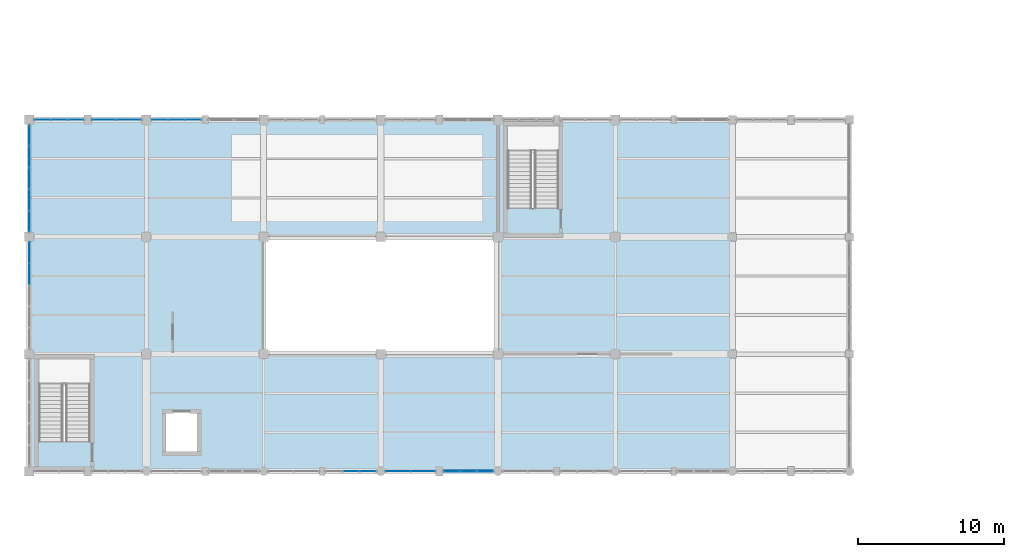
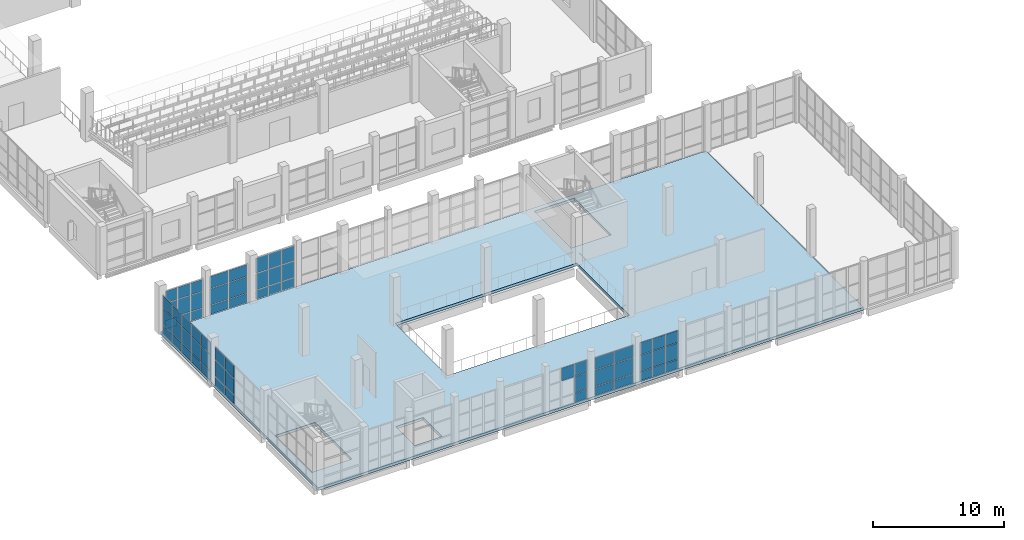
# One storey, part 116 of 183: 64 plates, 1 slab, 8 elements without a shape of their own.
"""IFC4 building model written with IfcOpenShell, lengths in metres."""

from ifc_helpers import new_model, si_unit, direction, frame, origin, origin_2d, place, context, subcontext, project, spatial, polyline, rectangle, outline, extrude, material, layer, layer_set, type_object, element, aggregate, save


model = new_model("IFC4")

# Units and contexts
model_context = context("Model", 3, precision=1e-05, world=origin(), true_north=direction((0.0, 1.0)))
body_context = subcontext(model_context, "Body", "Model", "MODEL_VIEW")
ifc_project = project(units=[si_unit("LENGTHUNIT", "METRE"), si_unit("AREAUNIT", "SQUARE_METRE"), si_unit("VOLUMEUNIT", "CUBIC_METRE"), si_unit("PLANEANGLEUNIT", "RADIAN"), si_unit("MASSUNIT", "GRAM", prefix="KILO")], contexts=[model_context])

# Site, building, storey
site_placement = place(None, origin())
site = spatial("IfcSite", under=ifc_project, at=site_placement, CompositionType="ELEMENT")
building_placement = place(site_placement, origin())
building = spatial("IfcBuilding", under=site, at=building_placement, Name="Luwemba Playhouse", CompositionType="ELEMENT")
storey_placement = place(building_placement, frame((0.0, 0.0, 4.800048828125)))
storey = spatial("IfcBuildingStorey", under=building, at=storey_placement, Name="L01", CompositionType="ELEMENT", Elevation=4.800048828125)

# Curtain wall, plates
ifc_material_1 = material(Name="Solar-control double glazing", Category="glass")
curtain_wall_type_1 = type_object("IfcCurtainWallType", Name="CW-CW92", PredefinedType="USERDEFINED", material=ifc_material_1)
curtain_wall_1_placement = place(storey_placement, origin())
curtain_wall_1 = element("IfcCurtainWall", 1, at=curtain_wall_1_placement, inside=storey, type_object=curtain_wall_type_1, Name="L01 V5W unitised curtain wall 122", ObjectType="UNITISED GLAZING", PredefinedType="USERDEFINED")
ifc_layer_1 = layer(ifc_material_1, 0.02392578125)
ifc_layer_set_1 = layer_set([ifc_layer_1], Name="Solar-control double glazing")
plate_type_1 = type_object("IfcPlateType", Name="CWP-P1", PredefinedType="CURTAIN_PANEL", material=ifc_layer_set_1)
plate_1_placement = place(storey_placement, frame((4.910888671875, 27.0, 0.059814453125), z_axis=(0.0, 0.0, 1.0), x_axis=(1.0, 0.0, 0.0)))
plate_1 = element("IfcPlate", 2, at=plate_1_placement, type_object=plate_type_1, Name="CW92 panel 1.1", PredefinedType="CURTAIN_PANEL", context=body_context, shape_type="SweptSolid", body=[
    extrude(rectangle(XDim=1.0517578125, YDim=0.02392578125, at=origin_2d()), origin(), (0.0, 0.0, 1.0), 0.81005859375),
])
plate_2_placement = place(storey_placement, frame((4.910888671875, 27.0, 0.93017578125), z_axis=(0.0, 0.0, 1.0), x_axis=(1.0, 0.0, 0.0)))
plate_2 = element("IfcPlate", 3, at=plate_2_placement, type_object=plate_type_1, Name="CW92 panel 1.2", PredefinedType="CURTAIN_PANEL", context=body_context, shape_type="SweptSolid", body=[
    extrude(rectangle(XDim=1.0517578125, YDim=0.02392578125, at=origin_2d()), origin(), (0.0, 0.0, 1.0), 1.489990234375),
])
plate_3_placement = place(storey_placement, frame((4.910888671875, 27.0, 2.47998046875), z_axis=(0.0, 0.0, 1.0), x_axis=(1.0, 0.0, 0.0)))
plate_3 = element("IfcPlate", 4, at=plate_3_placement, type_object=plate_type_1, Name="CW92 panel 1.3", PredefinedType="CURTAIN_PANEL", context=body_context, shape_type="SweptSolid", body=[
    extrude(rectangle(XDim=1.0517578125, YDim=0.02392578125, at=origin_2d()), origin(), (0.0, 0.0, 1.0), 1.094970703125),
])
plate_4_placement = place(storey_placement, frame((6.03759765625, 27.0, 0.059814453125), z_axis=(0.0, 0.0, 1.0), x_axis=(1.0, 0.0, 0.0)))
plate_4 = element("IfcPlate", 5, at=plate_4_placement, type_object=plate_type_1, Name="CW92 panel 2.1", PredefinedType="CURTAIN_PANEL", context=body_context, shape_type="SweptSolid", body=[
    extrude(rectangle(XDim=1.081787109375, YDim=0.02392578125, at=origin_2d()), origin(), (0.0, 0.0, 1.0), 0.81005859375),
])
plate_5_placement = place(storey_placement, frame((6.03759765625, 27.0, 0.93017578125), z_axis=(0.0, 0.0, 1.0), x_axis=(1.0, 0.0, 0.0)))
plate_5 = element("IfcPlate", 6, at=plate_5_placement, type_object=plate_type_1, Name="CW92 panel 2.2", PredefinedType="CURTAIN_PANEL", context=body_context, shape_type="SweptSolid", body=[
    extrude(rectangle(XDim=1.081787109375, YDim=0.02392578125, at=origin_2d()), origin(), (0.0, 0.0, 1.0), 1.489990234375),
])
plate_6_placement = place(storey_placement, frame((6.03759765625, 27.0, 2.47998046875), z_axis=(0.0, 0.0, 1.0), x_axis=(1.0, 0.0, 0.0)))
plate_6 = element("IfcPlate", 7, at=plate_6_placement, type_object=plate_type_1, Name="CW92 panel 2.3", PredefinedType="CURTAIN_PANEL", context=body_context, shape_type="SweptSolid", body=[
    extrude(rectangle(XDim=1.081787109375, YDim=0.02392578125, at=origin_2d()), origin(), (0.0, 0.0, 1.0), 1.094970703125),
])
plate_7_placement = place(storey_placement, frame((7.1640625, 27.0, 0.059814453125), z_axis=(0.0, 0.0, 1.0), x_axis=(1.0, 0.0, 0.0)))
plate_7 = element("IfcPlate", 8, at=plate_7_placement, type_object=plate_type_1, Name="CW92 panel 3.1", PredefinedType="CURTAIN_PANEL", context=body_context, shape_type="SweptSolid", body=[
    extrude(rectangle(XDim=1.0517578125, YDim=0.02392578125, at=origin_2d()), origin(), (0.0, 0.0, 1.0), 0.81005859375),
])
plate_8_placement = place(storey_placement, frame((7.1640625, 27.0, 0.93017578125), z_axis=(0.0, 0.0, 1.0), x_axis=(1.0, 0.0, 0.0)))
plate_8 = element("IfcPlate", 9, at=plate_8_placement, type_object=plate_type_1, Name="CW92 panel 3.2", PredefinedType="CURTAIN_PANEL", context=body_context, shape_type="SweptSolid", body=[
    extrude(rectangle(XDim=1.0517578125, YDim=0.02392578125, at=origin_2d()), origin(), (0.0, 0.0, 1.0), 1.489990234375),
])
plate_9_placement = place(storey_placement, frame((7.1640625, 27.0, 2.47998046875), z_axis=(0.0, 0.0, 1.0), x_axis=(1.0, 0.0, 0.0)))
plate_9 = element("IfcPlate", 10, at=plate_9_placement, type_object=plate_type_1, Name="CW92 panel 3.3", PredefinedType="CURTAIN_PANEL", context=body_context, shape_type="SweptSolid", body=[
    extrude(rectangle(XDim=1.0517578125, YDim=0.02392578125, at=origin_2d()), origin(), (0.0, 0.0, 1.0), 1.094970703125),
])
aggregate(curtain_wall_1, [plate_1, plate_2, plate_3, plate_4, plate_5, plate_6, plate_7, plate_8, plate_9])

curtain_wall_type_2 = type_object("IfcCurtainWallType", Name="CW-CW99", PredefinedType="USERDEFINED", material=ifc_material_1)
curtain_wall_2_placement = place(storey_placement, origin())
curtain_wall_2 = element("IfcCurtainWall", 11, at=curtain_wall_2_placement, inside=storey, type_object=curtain_wall_type_2, Name="L01 V5W unitised curtain wall 146", ObjectType="UNITISED GLAZING", PredefinedType="USERDEFINED")
plate_10_placement = place(storey_placement, frame((30.87255859375, 3.0, 0.059814453125), z_axis=(0.0, 0.0, 1.0), x_axis=(-1.0, 0.0, 0.0)))
plate_10 = element("IfcPlate", 12, at=plate_10_placement, type_object=plate_type_1, Name="CW99 panel 1.1", PredefinedType="CURTAIN_PANEL", context=body_context, shape_type="SweptSolid", body=[
    extrude(rectangle(XDim=1.635009765625, YDim=0.02392578125, at=origin_2d()), origin(), (0.0, 0.0, 1.0), 0.81005859375),
])
plate_11_placement = place(storey_placement, frame((30.87255859375, 3.0, 0.93017578125), z_axis=(0.0, 0.0, 1.0), x_axis=(-1.0, 0.0, 0.0)))
plate_11 = element("IfcPlate", 13, at=plate_11_placement, type_object=plate_type_1, Name="CW99 panel 1.2", PredefinedType="CURTAIN_PANEL", context=body_context, shape_type="SweptSolid", body=[
    extrude(rectangle(XDim=1.635009765625, YDim=0.02392578125, at=origin_2d()), origin(), (0.0, 0.0, 1.0), 1.489990234375),
])
plate_12_placement = place(storey_placement, frame((30.87255859375, 3.0, 2.47998046875), z_axis=(0.0, 0.0, 1.0), x_axis=(-1.0, 0.0, 0.0)))
plate_12 = element("IfcPlate", 14, at=plate_12_placement, type_object=plate_type_1, Name="CW99 panel 1.3", PredefinedType="CURTAIN_PANEL", context=body_context, shape_type="SweptSolid", body=[
    extrude(rectangle(XDim=1.635009765625, YDim=0.02392578125, at=origin_2d()), origin(), (0.0, 0.0, 1.0), 1.094970703125),
])
plate_13_placement = place(storey_placement, frame((29.177490234375, 3.0, 0.059814453125), z_axis=(0.0, 0.0, 1.0), x_axis=(-1.0, 0.0, 0.0)))
plate_13 = element("IfcPlate", 15, at=plate_13_placement, type_object=plate_type_1, Name="CW99 panel 2.1", PredefinedType="CURTAIN_PANEL", context=body_context, shape_type="SweptSolid", body=[
    extrude(rectangle(XDim=1.635009765625, YDim=0.02392578125, at=origin_2d()), origin(), (0.0, 0.0, 1.0), 0.81005859375),
])
plate_14_placement = place(storey_placement, frame((29.177490234375, 3.0, 0.93017578125), z_axis=(0.0, 0.0, 1.0), x_axis=(-1.0, 0.0, 0.0)))
plate_14 = element("IfcPlate", 16, at=plate_14_placement, type_object=plate_type_1, Name="CW99 panel 2.2", PredefinedType="CURTAIN_PANEL", context=body_context, shape_type="SweptSolid", body=[
    extrude(rectangle(XDim=1.635009765625, YDim=0.02392578125, at=origin_2d()), origin(), (0.0, 0.0, 1.0), 1.489990234375),
])
plate_15_placement = place(storey_placement, frame((29.177490234375, 3.0, 2.47998046875), z_axis=(0.0, 0.0, 1.0), x_axis=(-1.0, 0.0, 0.0)))
plate_15 = element("IfcPlate", 17, at=plate_15_placement, type_object=plate_type_1, Name="CW99 panel 2.3", PredefinedType="CURTAIN_PANEL", context=body_context, shape_type="SweptSolid", body=[
    extrude(rectangle(XDim=1.635009765625, YDim=0.02392578125, at=origin_2d()), origin(), (0.0, 0.0, 1.0), 1.094970703125),
])
aggregate(curtain_wall_2, [plate_10, plate_11, plate_12, plate_13, plate_14, plate_15])

curtain_wall_type_3 = type_object("IfcCurtainWallType", Name="CW-CW93", PredefinedType="USERDEFINED", material=ifc_material_1)
curtain_wall_3_placement = place(storey_placement, origin())
curtain_wall_3 = element("IfcCurtainWall", 18, at=curtain_wall_3_placement, inside=storey, type_object=curtain_wall_type_3, Name="L01 V5W unitised curtain wall 123", ObjectType="UNITISED GLAZING", PredefinedType="USERDEFINED")
ifc_layer_2 = layer(ifc_material_1, 0.028076171875)
ifc_layer_set_2 = layer_set([ifc_layer_2], Name="Solar-control double glazing")
plate_type_2 = type_object("IfcPlateType", Name="CWP-P2", PredefinedType="CURTAIN_PANEL", material=ifc_layer_set_2)
plate_16_placement = place(storey_placement, frame((9.12255859375, 27.0, 0.054931640625), z_axis=(0.0, 0.0, 1.0), x_axis=(1.0, 0.0, 0.0)))
plate_16 = element("IfcPlate", 19, at=plate_16_placement, type_object=plate_type_2, Name="CW93 panel 1.1", PredefinedType="CURTAIN_PANEL", context=body_context, shape_type="SweptSolid", body=[
    extrude(rectangle(XDim=1.614990234375, YDim=0.028076171875, at=origin_2d()), origin(), (0.0, 0.0, 1.0), 0.8173828125),
])
plate_17_placement = place(storey_placement, frame((9.12255859375, 27.0, 0.927490234375), z_axis=(0.0, 0.0, 1.0), x_axis=(1.0, 0.0, 0.0)))
plate_17 = element("IfcPlate", 20, at=plate_17_placement, type_object=plate_type_2, Name="CW93 panel 1.2", PredefinedType="CURTAIN_PANEL", context=body_context, shape_type="SweptSolid", body=[
    extrude(rectangle(XDim=1.614990234375, YDim=0.028076171875, at=origin_2d()), origin(), (0.0, 0.0, 1.0), 1.4951171875),
])
plate_18_placement = place(storey_placement, frame((9.12255859375, 27.0, 2.4775390625), z_axis=(0.0, 0.0, 1.0), x_axis=(1.0, 0.0, 0.0)))
plate_18 = element("IfcPlate", 21, at=plate_18_placement, type_object=plate_type_2, Name="CW93 panel 1.3", PredefinedType="CURTAIN_PANEL", context=body_context, shape_type="SweptSolid", body=[
    extrude(rectangle(XDim=1.614990234375, YDim=0.028076171875, at=origin_2d()), origin(), (0.0, 0.0, 1.0), 1.1025390625),
])
plate_19_placement = place(storey_placement, frame((10.802490234375, 27.0, 0.054931640625), z_axis=(0.0, 0.0, 1.0), x_axis=(1.0, 0.0, 0.0)))
plate_19 = element("IfcPlate", 22, at=plate_19_placement, type_object=plate_type_2, Name="CW93 panel 2.1", PredefinedType="CURTAIN_PANEL", context=body_context, shape_type="SweptSolid", body=[
    extrude(rectangle(XDim=1.614990234375, YDim=0.028076171875, at=origin_2d()), origin(), (0.0, 0.0, 1.0), 0.8173828125),
])
plate_20_placement = place(storey_placement, frame((10.802490234375, 27.0, 0.927490234375), z_axis=(0.0, 0.0, 1.0), x_axis=(1.0, 0.0, 0.0)))
plate_20 = element("IfcPlate", 23, at=plate_20_placement, type_object=plate_type_2, Name="CW93 panel 2.2", PredefinedType="CURTAIN_PANEL", context=body_context, shape_type="SweptSolid", body=[
    extrude(rectangle(XDim=1.614990234375, YDim=0.028076171875, at=origin_2d()), origin(), (0.0, 0.0, 1.0), 1.4951171875),
])
plate_21_placement = place(storey_placement, frame((10.802490234375, 27.0, 2.4775390625), z_axis=(0.0, 0.0, 1.0), x_axis=(1.0, 0.0, 0.0)))
plate_21 = element("IfcPlate", 24, at=plate_21_placement, type_object=plate_type_2, Name="CW93 panel 2.3", PredefinedType="CURTAIN_PANEL", context=body_context, shape_type="SweptSolid", body=[
    extrude(rectangle(XDim=1.614990234375, YDim=0.028076171875, at=origin_2d()), origin(), (0.0, 0.0, 1.0), 1.1025390625),
])
aggregate(curtain_wall_3, [plate_16, plate_17, plate_18, plate_19, plate_20, plate_21])

curtain_wall_type_4 = type_object("IfcCurtainWallType", Name="CW-CW81", PredefinedType="USERDEFINED", material=ifc_material_1)
curtain_wall_4_placement = place(storey_placement, origin())
curtain_wall_4 = element("IfcCurtainWall", 25, at=curtain_wall_4_placement, inside=storey, type_object=curtain_wall_type_4, Name="L01 V5W unitised curtain wall 147", ObjectType="UNITISED GLAZING", PredefinedType="USERDEFINED")
plate_22_placement = place(storey_placement, frame((27.100341796875, 3.0, 0.054931640625), z_axis=(0.0, 0.0, 1.0), x_axis=(-1.0, 0.0, 0.0)))
plate_22 = element("IfcPlate", 26, at=plate_22_placement, type_object=plate_type_2, Name="CW81 panel 1.1", PredefinedType="CURTAIN_PANEL", context=body_context, shape_type="SweptSolid", body=[
    extrude(rectangle(XDim=1.069091796875, YDim=0.028076171875, at=origin_2d()), origin(), (0.0, 0.0, 1.0), 0.8173828125),
])
plate_23_placement = place(storey_placement, frame((27.100341796875, 3.0, 0.927490234375), z_axis=(0.0, 0.0, 1.0), x_axis=(-1.0, 0.0, 0.0)))
plate_23 = element("IfcPlate", 27, at=plate_23_placement, type_object=plate_type_2, Name="CW81 panel 1.2", PredefinedType="CURTAIN_PANEL", context=body_context, shape_type="SweptSolid", body=[
    extrude(rectangle(XDim=1.069091796875, YDim=0.028076171875, at=origin_2d()), origin(), (0.0, 0.0, 1.0), 1.4951171875),
])
plate_24_placement = place(storey_placement, frame((27.100341796875, 3.0, 2.4775390625), z_axis=(0.0, 0.0, 1.0), x_axis=(-1.0, 0.0, 0.0)))
plate_24 = element("IfcPlate", 28, at=plate_24_placement, type_object=plate_type_2, Name="CW81 panel 1.3", PredefinedType="CURTAIN_PANEL", context=body_context, shape_type="SweptSolid", body=[
    extrude(rectangle(XDim=1.069091796875, YDim=0.028076171875, at=origin_2d()), origin(), (0.0, 0.0, 1.0), 1.152587890625),
])
plate_25_placement = place(storey_placement, frame((25.949951171875, 3.0, 2.4775390625), z_axis=(0.0, 0.0, 1.0), x_axis=(-1.0, 0.0, 0.0)))
plate_25 = element("IfcPlate", 29, at=plate_25_placement, type_object=plate_type_2, Name="CW81 panel 2.3", PredefinedType="CURTAIN_PANEL", context=body_context, shape_type="SweptSolid", body=[
    extrude(rectangle(XDim=1.1015625, YDim=0.028076171875, at=origin_2d()), origin(), (0.0, 0.0, 1.0), 1.152587890625),
])
aggregate(curtain_wall_4, [plate_22, plate_23, plate_24, plate_25])

curtain_wall_type_5 = type_object("IfcCurtainWallType", Name="CW-CW90", PredefinedType="USERDEFINED", material=ifc_material_1)
curtain_wall_5_placement = place(storey_placement, origin())
curtain_wall_5 = element("IfcCurtainWall", 30, at=curtain_wall_5_placement, inside=storey, type_object=curtain_wall_type_5, Name="L01 V5W unitised curtain wall 120", ObjectType="UNITISED GLAZING", PredefinedType="USERDEFINED")
ifc_layer_3 = layer(ifc_material_1, 0.031982421875)
ifc_layer_set_3 = layer_set([ifc_layer_3], Name="Solar-control double glazing")
plate_type_3 = type_object("IfcPlateType", Name="CWP-P3", PredefinedType="CURTAIN_PANEL", material=ifc_layer_set_3)
plate_26_placement = place(storey_placement, frame((4.0, 16.469970703125, 0.06494140625), z_axis=(0.0, 0.0, 1.0), x_axis=(0.0, 1.0, 0.0)))
plate_26 = element("IfcPlate", 31, at=plate_26_placement, type_object=plate_type_3, Name="CW90 panel 4.1", PredefinedType="CURTAIN_PANEL", context=body_context, shape_type="SweptSolid", body=[
    extrude(rectangle(XDim=1.4150390625, YDim=0.031982421875, at=origin_2d()), origin(), (0.0, 0.0, 1.0), 0.802490234375),
])
plate_27_placement = place(storey_placement, frame((4.0, 16.469970703125, 0.9326171875), z_axis=(0.0, 0.0, 1.0), x_axis=(0.0, 1.0, 0.0)))
plate_27 = element("IfcPlate", 32, at=plate_27_placement, type_object=plate_type_3, Name="CW90 panel 4.2", PredefinedType="CURTAIN_PANEL", context=body_context, shape_type="SweptSolid", body=[
    extrude(rectangle(XDim=1.4150390625, YDim=0.031982421875, at=origin_2d()), origin(), (0.0, 0.0, 1.0), 1.485107421875),
])
plate_28_placement = place(storey_placement, frame((4.0, 16.469970703125, 2.482421875), z_axis=(0.0, 0.0, 1.0), x_axis=(0.0, 1.0, 0.0)))
plate_28 = element("IfcPlate", 33, at=plate_28_placement, type_object=plate_type_3, Name="CW90 panel 4.3", PredefinedType="CURTAIN_PANEL", context=body_context, shape_type="SweptSolid", body=[
    extrude(rectangle(XDim=1.4150390625, YDim=0.031982421875, at=origin_2d()), origin(), (0.0, 0.0, 1.0), 1.137451171875),
])
plate_29_placement = place(storey_placement, frame((4.0, 17.92626953125, 0.06494140625), z_axis=(0.0, 0.0, 1.0), x_axis=(0.0, 1.0, 0.0)))
plate_29 = element("IfcPlate", 34, at=plate_29_placement, type_object=plate_type_3, Name="CW90 panel 5.1", PredefinedType="CURTAIN_PANEL", context=body_context, shape_type="SweptSolid", body=[
    extrude(rectangle(XDim=1.387451171875, YDim=0.031982421875, at=origin_2d()), origin(), (0.0, 0.0, 1.0), 0.802490234375),
])
plate_30_placement = place(storey_placement, frame((4.0, 17.92626953125, 0.9326171875), z_axis=(0.0, 0.0, 1.0), x_axis=(0.0, 1.0, 0.0)))
plate_30 = element("IfcPlate", 35, at=plate_30_placement, type_object=plate_type_3, Name="CW90 panel 5.2", PredefinedType="CURTAIN_PANEL", context=body_context, shape_type="SweptSolid", body=[
    extrude(rectangle(XDim=1.387451171875, YDim=0.031982421875, at=origin_2d()), origin(), (0.0, 0.0, 1.0), 1.485107421875),
])
plate_31_placement = place(storey_placement, frame((4.0, 17.92626953125, 2.482421875), z_axis=(0.0, 0.0, 1.0), x_axis=(0.0, 1.0, 0.0)))
plate_31 = element("IfcPlate", 36, at=plate_31_placement, type_object=plate_type_3, Name="CW90 panel 5.3", PredefinedType="CURTAIN_PANEL", context=body_context, shape_type="SweptSolid", body=[
    extrude(rectangle(XDim=1.387451171875, YDim=0.031982421875, at=origin_2d()), origin(), (0.0, 0.0, 1.0), 1.137451171875),
])
aggregate(curtain_wall_5, [plate_26, plate_27, plate_28, plate_29, plate_30, plate_31])

curtain_wall_type_6 = type_object("IfcCurtainWallType", Name="CW-CW94", PredefinedType="USERDEFINED", material=ifc_material_1)
curtain_wall_6_placement = place(storey_placement, origin())
curtain_wall_6 = element("IfcCurtainWall", 37, at=curtain_wall_6_placement, inside=storey, type_object=curtain_wall_type_6, Name="L01 V5W unitised curtain wall 124", ObjectType="UNITISED GLAZING", PredefinedType="USERDEFINED")
plate_32_placement = place(storey_placement, frame((12.913818359375, 27.0, 0.06494140625), z_axis=(0.0, 0.0, 1.0), x_axis=(1.0, 0.0, 0.0)))
plate_32 = element("IfcPlate", 38, at=plate_32_placement, type_object=plate_type_3, Name="CW94 panel 1.1", PredefinedType="CURTAIN_PANEL", context=body_context, shape_type="SweptSolid", body=[
    extrude(rectangle(XDim=1.0673828125, YDim=0.031982421875, at=origin_2d()), origin(), (0.0, 0.0, 1.0), 0.802490234375),
])
plate_33_placement = place(storey_placement, frame((12.913818359375, 27.0, 0.9326171875), z_axis=(0.0, 0.0, 1.0), x_axis=(1.0, 0.0, 0.0)))
plate_33 = element("IfcPlate", 39, at=plate_33_placement, type_object=plate_type_3, Name="CW94 panel 1.2", PredefinedType="CURTAIN_PANEL", context=body_context, shape_type="SweptSolid", body=[
    extrude(rectangle(XDim=1.0673828125, YDim=0.031982421875, at=origin_2d()), origin(), (0.0, 0.0, 1.0), 1.485107421875),
])
plate_34_placement = place(storey_placement, frame((12.913818359375, 27.0, 2.482421875), z_axis=(0.0, 0.0, 1.0), x_axis=(1.0, 0.0, 0.0)))
plate_34 = element("IfcPlate", 40, at=plate_34_placement, type_object=plate_type_3, Name="CW94 panel 1.3", PredefinedType="CURTAIN_PANEL", context=body_context, shape_type="SweptSolid", body=[
    extrude(rectangle(XDim=1.0673828125, YDim=0.031982421875, at=origin_2d()), origin(), (0.0, 0.0, 1.0), 1.387451171875),
])
plate_35_placement = place(storey_placement, frame((14.050048828125, 27.0, 0.06494140625), z_axis=(0.0, 0.0, 1.0), x_axis=(1.0, 0.0, 0.0)))
plate_35 = element("IfcPlate", 41, at=plate_35_placement, type_object=plate_type_3, Name="CW94 panel 2.1", PredefinedType="CURTAIN_PANEL", context=body_context, shape_type="SweptSolid", body=[
    extrude(rectangle(XDim=1.094970703125, YDim=0.031982421875, at=origin_2d()), origin(), (0.0, 0.0, 1.0), 0.802490234375),
])
plate_36_placement = place(storey_placement, frame((14.050048828125, 27.0, 0.9326171875), z_axis=(0.0, 0.0, 1.0), x_axis=(1.0, 0.0, 0.0)))
plate_36 = element("IfcPlate", 42, at=plate_36_placement, type_object=plate_type_3, Name="CW94 panel 2.2", PredefinedType="CURTAIN_PANEL", context=body_context, shape_type="SweptSolid", body=[
    extrude(rectangle(XDim=1.094970703125, YDim=0.031982421875, at=origin_2d()), origin(), (0.0, 0.0, 1.0), 1.485107421875),
])
plate_37_placement = place(storey_placement, frame((14.050048828125, 27.0, 2.482421875), z_axis=(0.0, 0.0, 1.0), x_axis=(1.0, 0.0, 0.0)))
plate_37 = element("IfcPlate", 43, at=plate_37_placement, type_object=plate_type_3, Name="CW94 panel 2.3", PredefinedType="CURTAIN_PANEL", context=body_context, shape_type="SweptSolid", body=[
    extrude(rectangle(XDim=1.094970703125, YDim=0.031982421875, at=origin_2d()), origin(), (0.0, 0.0, 1.0), 1.387451171875),
])
plate_38_placement = place(storey_placement, frame((15.186279296875, 27.0, 0.06494140625), z_axis=(0.0, 0.0, 1.0), x_axis=(1.0, 0.0, 0.0)))
plate_38 = element("IfcPlate", 44, at=plate_38_placement, type_object=plate_type_3, Name="CW94 panel 3.1", PredefinedType="CURTAIN_PANEL", context=body_context, shape_type="SweptSolid", body=[
    extrude(rectangle(XDim=1.0673828125, YDim=0.031982421875, at=origin_2d()), origin(), (0.0, 0.0, 1.0), 0.802490234375),
])
plate_39_placement = place(storey_placement, frame((15.186279296875, 27.0, 0.9326171875), z_axis=(0.0, 0.0, 1.0), x_axis=(1.0, 0.0, 0.0)))
plate_39 = element("IfcPlate", 45, at=plate_39_placement, type_object=plate_type_3, Name="CW94 panel 3.2", PredefinedType="CURTAIN_PANEL", context=body_context, shape_type="SweptSolid", body=[
    extrude(rectangle(XDim=1.0673828125, YDim=0.031982421875, at=origin_2d()), origin(), (0.0, 0.0, 1.0), 1.485107421875),
])
plate_40_placement = place(storey_placement, frame((15.186279296875, 27.0, 2.482421875), z_axis=(0.0, 0.0, 1.0), x_axis=(1.0, 0.0, 0.0)))
plate_40 = element("IfcPlate", 46, at=plate_40_placement, type_object=plate_type_3, Name="CW94 panel 3.3", PredefinedType="CURTAIN_PANEL", context=body_context, shape_type="SweptSolid", body=[
    extrude(rectangle(XDim=1.0673828125, YDim=0.031982421875, at=origin_2d()), origin(), (0.0, 0.0, 1.0), 1.387451171875),
])
aggregate(curtain_wall_6, [plate_32, plate_33, plate_34, plate_35, plate_36, plate_37, plate_38, plate_39, plate_40])

curtain_wall_type_7 = type_object("IfcCurtainWallType", Name="CW-CW91", PredefinedType="USERDEFINED", material=ifc_material_1)
curtain_wall_7_placement = place(storey_placement, origin())
curtain_wall_7 = element("IfcCurtainWall", 47, at=curtain_wall_7_placement, inside=storey, type_object=curtain_wall_type_7, Name="L01 V5W unitised curtain wall 121", ObjectType="UNITISED GLAZING", PredefinedType="USERDEFINED")
ifc_layer_4 = layer(ifc_material_1, 0.035888671875)
ifc_layer_set_4 = layer_set([ifc_layer_4], Name="Solar-control double glazing")
plate_type_4 = type_object("IfcPlateType", Name="CWP-P4", PredefinedType="CURTAIN_PANEL", material=ifc_layer_set_4)
plate_41_placement = place(storey_placement, frame((4.0, 20.077392578125, 0.0498046875), z_axis=(0.0, 0.0, 1.0), x_axis=(0.0, 1.0, 0.0)))
plate_41 = element("IfcPlate", 48, at=plate_41_placement, type_object=plate_type_4, Name="CW91 panel 1.1", PredefinedType="CURTAIN_PANEL", context=body_context, shape_type="SweptSolid", body=[
    extrude(rectangle(XDim=1.364990234375, YDim=0.035888671875, at=origin_2d()), origin(), (0.0, 0.0, 1.0), 0.824951171875),
])
plate_42_placement = place(storey_placement, frame((4.0, 20.077392578125, 0.925048828125), z_axis=(0.0, 0.0, 1.0), x_axis=(0.0, 1.0, 0.0)))
plate_42 = element("IfcPlate", 49, at=plate_42_placement, type_object=plate_type_4, Name="CW91 panel 1.2", PredefinedType="CURTAIN_PANEL", context=body_context, shape_type="SweptSolid", body=[
    extrude(rectangle(XDim=1.364990234375, YDim=0.035888671875, at=origin_2d()), origin(), (0.0, 0.0, 1.0), 1.5),
])
plate_43_placement = place(storey_placement, frame((4.0, 20.077392578125, 2.47509765625), z_axis=(0.0, 0.0, 1.0), x_axis=(0.0, 1.0, 0.0)))
plate_43 = element("IfcPlate", 50, at=plate_43_placement, type_object=plate_type_4, Name="CW91 panel 1.3", PredefinedType="CURTAIN_PANEL", context=body_context, shape_type="SweptSolid", body=[
    extrude(rectangle(XDim=1.364990234375, YDim=0.035888671875, at=origin_2d()), origin(), (0.0, 0.0, 1.0), 1.110107421875),
])
plate_44_placement = place(storey_placement, frame((4.0, 21.530029296875, 0.0498046875), z_axis=(0.0, 0.0, 1.0), x_axis=(0.0, 1.0, 0.0)))
plate_44 = element("IfcPlate", 51, at=plate_44_placement, type_object=plate_type_4, Name="CW91 panel 2.1", PredefinedType="CURTAIN_PANEL", context=body_context, shape_type="SweptSolid", body=[
    extrude(rectangle(XDim=1.39990234375, YDim=0.035888671875, at=origin_2d()), origin(), (0.0, 0.0, 1.0), 0.824951171875),
])
plate_45_placement = place(storey_placement, frame((4.0, 21.530029296875, 0.925048828125), z_axis=(0.0, 0.0, 1.0), x_axis=(0.0, 1.0, 0.0)))
plate_45 = element("IfcPlate", 52, at=plate_45_placement, type_object=plate_type_4, Name="CW91 panel 2.2", PredefinedType="CURTAIN_PANEL", context=body_context, shape_type="SweptSolid", body=[
    extrude(rectangle(XDim=1.39990234375, YDim=0.035888671875, at=origin_2d()), origin(), (0.0, 0.0, 1.0), 1.5),
])
plate_46_placement = place(storey_placement, frame((4.0, 21.530029296875, 2.47509765625), z_axis=(0.0, 0.0, 1.0), x_axis=(0.0, 1.0, 0.0)))
plate_46 = element("IfcPlate", 53, at=plate_46_placement, type_object=plate_type_4, Name="CW91 panel 2.3", PredefinedType="CURTAIN_PANEL", context=body_context, shape_type="SweptSolid", body=[
    extrude(rectangle(XDim=1.39990234375, YDim=0.035888671875, at=origin_2d()), origin(), (0.0, 0.0, 1.0), 1.110107421875),
])
plate_47_placement = place(storey_placement, frame((4.0, 23.0, 0.0498046875), z_axis=(0.0, 0.0, 1.0), x_axis=(0.0, 1.0, 0.0)))
plate_47 = element("IfcPlate", 54, at=plate_47_placement, type_object=plate_type_4, Name="CW91 panel 3.1", PredefinedType="CURTAIN_PANEL", context=body_context, shape_type="SweptSolid", body=[
    extrude(rectangle(XDim=1.39990234375, YDim=0.035888671875, at=origin_2d()), origin(), (0.0, 0.0, 1.0), 0.824951171875),
])
plate_48_placement = place(storey_placement, frame((4.0, 23.0, 0.925048828125), z_axis=(0.0, 0.0, 1.0), x_axis=(0.0, 1.0, 0.0)))
plate_48 = element("IfcPlate", 55, at=plate_48_placement, type_object=plate_type_4, Name="CW91 panel 3.2", PredefinedType="CURTAIN_PANEL", context=body_context, shape_type="SweptSolid", body=[
    extrude(rectangle(XDim=1.39990234375, YDim=0.035888671875, at=origin_2d()), origin(), (0.0, 0.0, 1.0), 1.5),
])
plate_49_placement = place(storey_placement, frame((4.0, 23.0, 2.47509765625), z_axis=(0.0, 0.0, 1.0), x_axis=(0.0, 1.0, 0.0)))
plate_49 = element("IfcPlate", 56, at=plate_49_placement, type_object=plate_type_4, Name="CW91 panel 3.3", PredefinedType="CURTAIN_PANEL", context=body_context, shape_type="SweptSolid", body=[
    extrude(rectangle(XDim=1.39990234375, YDim=0.035888671875, at=origin_2d()), origin(), (0.0, 0.0, 1.0), 1.110107421875),
])
plate_50_placement = place(storey_placement, frame((4.0, 24.469970703125, 0.0498046875), z_axis=(0.0, 0.0, 1.0), x_axis=(0.0, 1.0, 0.0)))
plate_50 = element("IfcPlate", 57, at=plate_50_placement, type_object=plate_type_4, Name="CW91 panel 4.1", PredefinedType="CURTAIN_PANEL", context=body_context, shape_type="SweptSolid", body=[
    extrude(rectangle(XDim=1.39990234375, YDim=0.035888671875, at=origin_2d()), origin(), (0.0, 0.0, 1.0), 0.824951171875),
])
plate_51_placement = place(storey_placement, frame((4.0, 24.469970703125, 0.925048828125), z_axis=(0.0, 0.0, 1.0), x_axis=(0.0, 1.0, 0.0)))
plate_51 = element("IfcPlate", 58, at=plate_51_placement, type_object=plate_type_4, Name="CW91 panel 4.2", PredefinedType="CURTAIN_PANEL", context=body_context, shape_type="SweptSolid", body=[
    extrude(rectangle(XDim=1.39990234375, YDim=0.035888671875, at=origin_2d()), origin(), (0.0, 0.0, 1.0), 1.5),
])
plate_52_placement = place(storey_placement, frame((4.0, 24.469970703125, 2.47509765625), z_axis=(0.0, 0.0, 1.0), x_axis=(0.0, 1.0, 0.0)))
plate_52 = element("IfcPlate", 59, at=plate_52_placement, type_object=plate_type_4, Name="CW91 panel 4.3", PredefinedType="CURTAIN_PANEL", context=body_context, shape_type="SweptSolid", body=[
    extrude(rectangle(XDim=1.39990234375, YDim=0.035888671875, at=origin_2d()), origin(), (0.0, 0.0, 1.0), 1.110107421875),
])
plate_53_placement = place(storey_placement, frame((4.0, 25.922607421875, 0.0498046875), z_axis=(0.0, 0.0, 1.0), x_axis=(0.0, 1.0, 0.0)))
plate_53 = element("IfcPlate", 60, at=plate_53_placement, type_object=plate_type_4, Name="CW91 panel 5.1", PredefinedType="CURTAIN_PANEL", context=body_context, shape_type="SweptSolid", body=[
    extrude(rectangle(XDim=1.364990234375, YDim=0.035888671875, at=origin_2d()), origin(), (0.0, 0.0, 1.0), 0.824951171875),
])
plate_54_placement = place(storey_placement, frame((4.0, 25.922607421875, 0.925048828125), z_axis=(0.0, 0.0, 1.0), x_axis=(0.0, 1.0, 0.0)))
plate_54 = element("IfcPlate", 61, at=plate_54_placement, type_object=plate_type_4, Name="CW91 panel 5.2", PredefinedType="CURTAIN_PANEL", context=body_context, shape_type="SweptSolid", body=[
    extrude(rectangle(XDim=1.364990234375, YDim=0.035888671875, at=origin_2d()), origin(), (0.0, 0.0, 1.0), 1.5),
])
plate_55_placement = place(storey_placement, frame((4.0, 25.922607421875, 2.47509765625), z_axis=(0.0, 0.0, 1.0), x_axis=(0.0, 1.0, 0.0)))
plate_55 = element("IfcPlate", 62, at=plate_55_placement, type_object=plate_type_4, Name="CW91 panel 5.3", PredefinedType="CURTAIN_PANEL", context=body_context, shape_type="SweptSolid", body=[
    extrude(rectangle(XDim=1.364990234375, YDim=0.035888671875, at=origin_2d()), origin(), (0.0, 0.0, 1.0), 1.110107421875),
])
aggregate(curtain_wall_7, [plate_41, plate_42, plate_43, plate_44, plate_45, plate_46, plate_47, plate_48, plate_49, plate_50, plate_51, plate_52, plate_53, plate_54, plate_55])

curtain_wall_type_8 = type_object("IfcCurtainWallType", Name="CW-CW111", PredefinedType="USERDEFINED", material=ifc_material_1)
curtain_wall_8_placement = place(storey_placement, origin())
curtain_wall_8 = element("IfcCurtainWall", 63, at=curtain_wall_8_placement, inside=storey, type_object=curtain_wall_type_8, Name="L01 V5W unitised curtain wall 145", ObjectType="UNITISED GLAZING", PredefinedType="USERDEFINED")
plate_56_placement = place(storey_placement, frame((35.107421875, 3.0, 0.0498046875), z_axis=(0.0, 0.0, 1.0), x_axis=(-1.0, 0.0, 0.0)))
plate_56 = element("IfcPlate", 64, at=plate_56_placement, type_object=plate_type_4, Name="CW111 panel 1.1", PredefinedType="CURTAIN_PANEL", context=body_context, shape_type="SweptSolid", body=[
    extrude(rectangle(XDim=1.044921875, YDim=0.035888671875, at=origin_2d()), origin(), (0.0, 0.0, 1.0), 0.824951171875),
])
plate_57_placement = place(storey_placement, frame((35.107421875, 3.0, 0.925048828125), z_axis=(0.0, 0.0, 1.0), x_axis=(-1.0, 0.0, 0.0)))
plate_57 = element("IfcPlate", 65, at=plate_57_placement, type_object=plate_type_4, Name="CW111 panel 1.2", PredefinedType="CURTAIN_PANEL", context=body_context, shape_type="SweptSolid", body=[
    extrude(rectangle(XDim=1.044921875, YDim=0.035888671875, at=origin_2d()), origin(), (0.0, 0.0, 1.0), 1.5),
])
plate_58_placement = place(storey_placement, frame((35.107421875, 3.0, 2.47509765625), z_axis=(0.0, 0.0, 1.0), x_axis=(-1.0, 0.0, 0.0)))
plate_58 = element("IfcPlate", 66, at=plate_58_placement, type_object=plate_type_4, Name="CW111 panel 1.3", PredefinedType="CURTAIN_PANEL", context=body_context, shape_type="SweptSolid", body=[
    extrude(rectangle(XDim=1.044921875, YDim=0.035888671875, at=origin_2d()), origin(), (0.0, 0.0, 1.0), 1.110107421875),
])
plate_59_placement = place(storey_placement, frame((33.97509765625, 3.0, 0.0498046875), z_axis=(0.0, 0.0, 1.0), x_axis=(-1.0, 0.0, 0.0)))
plate_59 = element("IfcPlate", 67, at=plate_59_placement, type_object=plate_type_4, Name="CW111 panel 2.1", PredefinedType="CURTAIN_PANEL", context=body_context, shape_type="SweptSolid", body=[
    extrude(rectangle(XDim=1.080078125, YDim=0.035888671875, at=origin_2d()), origin(), (0.0, 0.0, 1.0), 0.824951171875),
])
plate_60_placement = place(storey_placement, frame((33.97509765625, 3.0, 0.925048828125), z_axis=(0.0, 0.0, 1.0), x_axis=(-1.0, 0.0, 0.0)))
plate_60 = element("IfcPlate", 68, at=plate_60_placement, type_object=plate_type_4, Name="CW111 panel 2.2", PredefinedType="CURTAIN_PANEL", context=body_context, shape_type="SweptSolid", body=[
    extrude(rectangle(XDim=1.080078125, YDim=0.035888671875, at=origin_2d()), origin(), (0.0, 0.0, 1.0), 1.5),
])
plate_61_placement = place(storey_placement, frame((33.97509765625, 3.0, 2.47509765625), z_axis=(0.0, 0.0, 1.0), x_axis=(-1.0, 0.0, 0.0)))
plate_61 = element("IfcPlate", 69, at=plate_61_placement, type_object=plate_type_4, Name="CW111 panel 2.3", PredefinedType="CURTAIN_PANEL", context=body_context, shape_type="SweptSolid", body=[
    extrude(rectangle(XDim=1.080078125, YDim=0.035888671875, at=origin_2d()), origin(), (0.0, 0.0, 1.0), 1.110107421875),
])
plate_62_placement = place(storey_placement, frame((32.842529296875, 3.0, 0.0498046875), z_axis=(0.0, 0.0, 1.0), x_axis=(-1.0, 0.0, 0.0)))
plate_62 = element("IfcPlate", 70, at=plate_62_placement, type_object=plate_type_4, Name="CW111 panel 3.1", PredefinedType="CURTAIN_PANEL", context=body_context, shape_type="SweptSolid", body=[
    extrude(rectangle(XDim=1.044921875, YDim=0.035888671875, at=origin_2d()), origin(), (0.0, 0.0, 1.0), 0.824951171875),
])
plate_63_placement = place(storey_placement, frame((32.842529296875, 3.0, 0.925048828125), z_axis=(0.0, 0.0, 1.0), x_axis=(-1.0, 0.0, 0.0)))
plate_63 = element("IfcPlate", 71, at=plate_63_placement, type_object=plate_type_4, Name="CW111 panel 3.2", PredefinedType="CURTAIN_PANEL", context=body_context, shape_type="SweptSolid", body=[
    extrude(rectangle(XDim=1.044921875, YDim=0.035888671875, at=origin_2d()), origin(), (0.0, 0.0, 1.0), 1.5),
])
plate_64_placement = place(storey_placement, frame((32.842529296875, 3.0, 2.47509765625), z_axis=(0.0, 0.0, 1.0), x_axis=(-1.0, 0.0, 0.0)))
plate_64 = element("IfcPlate", 72, at=plate_64_placement, type_object=plate_type_4, Name="CW111 panel 3.3", PredefinedType="CURTAIN_PANEL", context=body_context, shape_type="SweptSolid", body=[
    extrude(rectangle(XDim=1.044921875, YDim=0.035888671875, at=origin_2d()), origin(), (0.0, 0.0, 1.0), 1.110107421875),
])
aggregate(curtain_wall_8, [plate_56, plate_57, plate_58, plate_59, plate_60, plate_61, plate_62, plate_63, plate_64])

# Slab
ifc_material_2 = material(Name="Concrete C40/50", Category="concrete")
ifc_layer_5 = layer(ifc_material_2, 0.25)
ifc_layer_set_5 = layer_set([ifc_layer_5], Name="Concrete C40/50")
slab_type = type_object("IfcSlabType", Name="SLB-FLR-250", PredefinedType="FLOOR", material=ifc_layer_set_5)
slab_placement = place(storey_placement, frame((0.0, 0.0, -0.25)))
element("IfcSlab", 73, at=slab_placement, inside=storey, type_object=slab_type, Name="L01 V5W structural floor slab", PredefinedType="FLOOR", context=body_context, shape_type="SweptSolid", body=[
    extrude(outline(polyline([(51.969970703125, 27.0), (51.969970703125, 3.0), (4.0, 3.0), (4.0, 27.0), (51.969970703125, 27.0)]), holes=[polyline([(13.199951171875, 4.199951171875), (15.60009765625, 4.199951171875), (15.60009765625, 7.10009765625), (13.199951171875, 7.10009765625), (13.199951171875, 4.199951171875)]), polyline([(8.14990234375, 5.0400390625), (8.14990234375, 10.659912109375), (4.64990234375, 10.659912109375), (4.64990234375, 5.0400390625), (8.14990234375, 5.0400390625)]), polyline([(20.0, 11.0), (36.0, 11.0), (36.0, 19.0), (20.0, 19.0), (20.0, 11.0)]), polyline([(40.14990234375, 20.9599609375), (40.14990234375, 26.580078125), (36.64990234375, 26.580078125), (36.64990234375, 20.9599609375), (40.14990234375, 20.9599609375)])]), origin(), (0.0, 0.0, 1.0), 0.25),
])

save(model, "model.ifc")
